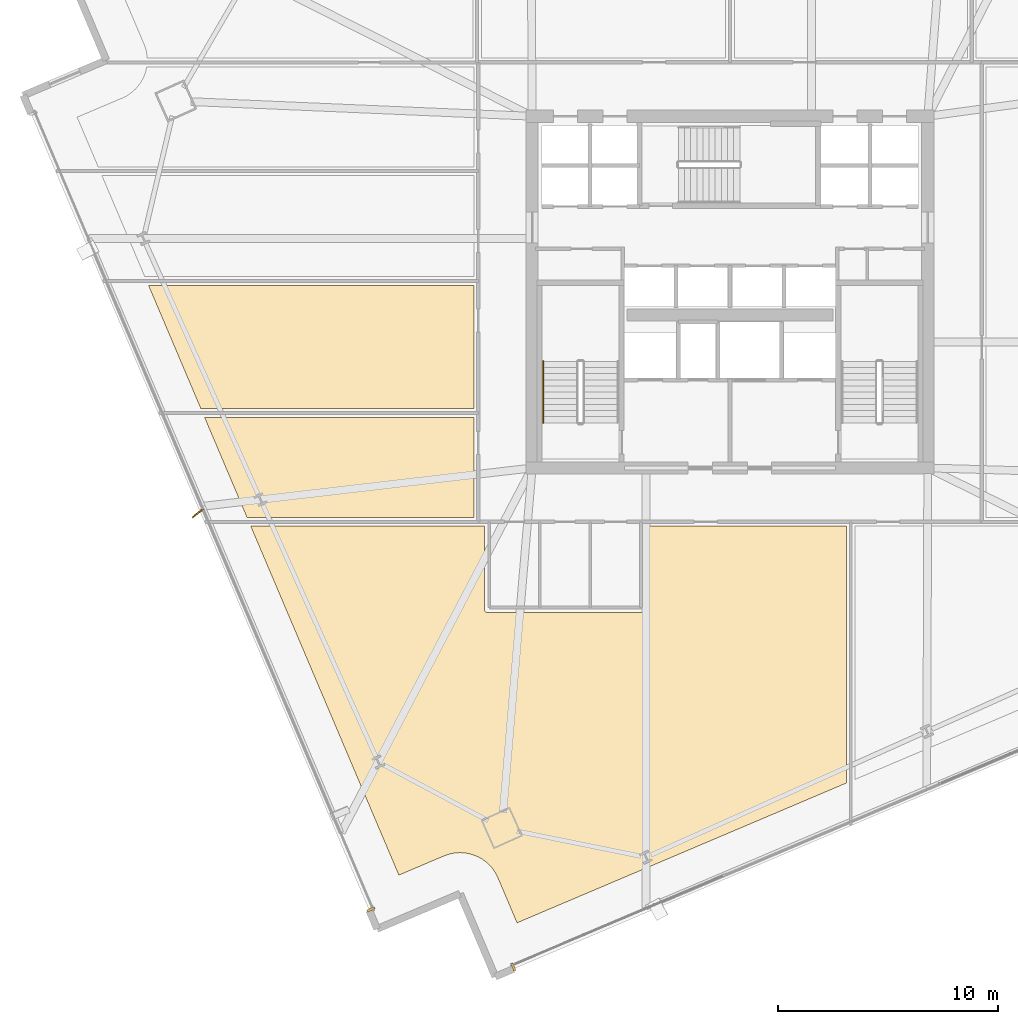
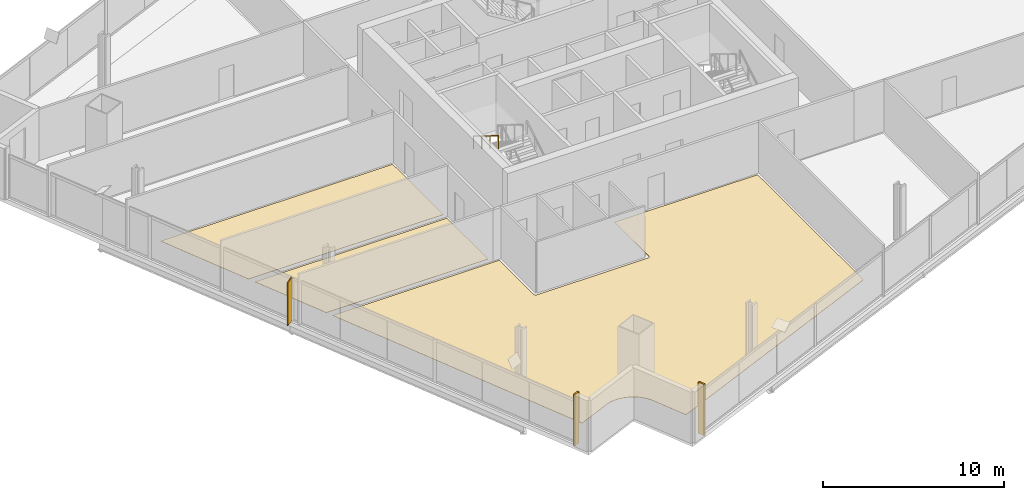
# One storey, part 30 of 34: 5 coverings, 1 railing, 1 shading device.
"""IFC4 building model written with IfcOpenShell, lengths in metres."""

from ifc_helpers import new_model, si_unit, direction, frame, origin, origin_2d, place, context, subcontext, project, spatial, polyline, rectangle, outline, extrude, source, transform, mapped, material, layer, layer_set, type_object, element, save


model = new_model("IFC4")

# Units and contexts
model_context = context("Model", 3, precision=1e-05, world=origin(), true_north=direction((0.0, 1.0)))
body_context = subcontext(model_context, "Body", "Model", "MODEL_VIEW")
ifc_project = project(units=[si_unit("LENGTHUNIT", "METRE"), si_unit("AREAUNIT", "SQUARE_METRE"), si_unit("VOLUMEUNIT", "CUBIC_METRE"), si_unit("PLANEANGLEUNIT", "RADIAN"), si_unit("MASSUNIT", "GRAM", prefix="KILO")], contexts=[model_context])

# Site, building, storey
site_placement = place(None, origin())
site = spatial("IfcSite", under=ifc_project, at=site_placement, CompositionType="ELEMENT")
building_placement = place(site_placement, origin())
building = spatial("IfcBuilding", under=site, at=building_placement, Name="Haldenkirk Collegiate Tower", CompositionType="ELEMENT")
storey_placement = place(building_placement, frame((0.0, 0.0, 105.449951171875)))
storey = spatial("IfcBuildingStorey", under=building, at=storey_placement, Name="L25", CompositionType="ELEMENT", Elevation=105.449951171875)

# Coverings
ifc_material_1 = material(Name="Polished collegiate terrazzo", Category="concrete")
ifc_layer_1 = layer(ifc_material_1, 0.02490234375)
ifc_layer_set_1 = layer_set([ifc_layer_1], Name="Polished collegiate terrazzo")
covering_type_1 = type_object("IfcCoveringType", Name="COV-FLOOR-TERRAZZO", PredefinedType="FLOORING", material=ifc_layer_set_1)
covering_1_placement = place(storey_placement, origin())
element("IfcCovering", 1, at=covering_1_placement, inside=storey, type_object=covering_type_1, Name="L25 academic room finish 08", PredefinedType="FLOORING", context=body_context, shape_type="SweptSolid", body=[
    extrude(outline(polyline([(12.096923828125, 20.300048828125), (24.35009765625, 20.300048828125), (24.35009765625, 15.75), (14.0283203125, 15.75), (12.096923828125, 20.300048828125)])), origin(), (0.0, 0.0, 1.0), 0.025146484375),
])
ifc_material_2 = material(Name="Engineered collegiate oak acoustic flooring", Category="wood")
ifc_layer_2 = layer(ifc_material_2, 0.02197265625)
ifc_layer_set_2 = layer_set([ifc_layer_2], Name="Engineered collegiate oak acoustic flooring")
covering_type_2 = type_object("IfcCoveringType", Name="COV-FLOOR-TIMBER", PredefinedType="FLOORING", material=ifc_layer_set_2)
covering_2_placement = place(storey_placement, origin())
element("IfcCovering", 2, at=covering_2_placement, inside=storey, type_object=covering_type_2, Name="L25 academic room finish 01", PredefinedType="FLOORING", context=body_context, shape_type="SweptSolid", body=[
    extrude(outline(polyline([(25.03466796875, -0.044921875), (25.026123046875, -0.03662109375), (24.89794921875, 0.07763671875), (24.888916015625, 0.0849609375), (24.75, 0.18603515625), (24.739990234375, 0.192626953125), (24.592041015625, 0.279541015625), (24.58154296875, 0.284912109375), (24.42578125, 0.357177734375), (24.414794921875, 0.361572265625), (24.252685546875, 0.41796875), (24.241455078125, 0.42138671875), (24.074462890625, 0.461669921875), (24.062744140625, 0.4638671875), (23.892578125, 0.487548828125), (23.880859375, 0.488525390625), (23.709228515625, 0.495361328125), (23.697509765625, 0.495361328125), (23.526123046875, 0.4853515625), (23.514404296875, 0.484130859375), (23.3447265625, 0.45751953125), (23.333251953125, 0.455078125), (23.1669921875, 0.411865234375), (23.15576171875, 0.408203125), (22.99462890625, 0.34912109375), (22.989013671875, 0.346923828125), (20.936279296875, -0.5244140625), (14.197998046875, 15.35009765625), (24.830078125, 15.35009765625), (24.830078125, 11.550048828125), (24.83056640625, 11.5380859375), (24.832275390625, 11.526611328125), (24.835205078125, 11.51513671875), (24.839111328125, 11.504150390625), (24.84423828125, 11.493408203125), (24.85009765625, 11.4833984375), (24.857177734375, 11.473876953125), (24.864990234375, 11.465087890625), (24.873779296875, 11.457275390625), (24.88330078125, 11.4501953125), (24.893310546875, 11.444091796875), (24.904052734375, 11.439208984375), (24.915283203125, 11.435302734375), (24.926513671875, 11.432373046875), (24.938232421875, 11.4306640625), (24.949951171875, 11.429931640625), (32.050048828125, 11.429931640625), (32.061767578125, 11.4306640625), (32.073486328125, 11.432373046875), (32.084716796875, 11.435302734375), (32.095947265625, 11.439208984375), (32.106689453125, 11.444091796875), (32.11669921875, 11.4501953125), (32.126220703125, 11.457275390625), (32.135009765625, 11.465087890625), (32.142822265625, 11.473876953125), (32.14990234375, 11.4833984375), (32.15576171875, 11.493408203125), (32.160888671875, 11.504150390625), (32.164794921875, 11.51513671875), (32.167724609375, 11.526611328125), (32.16943359375, 11.5380859375), (32.169921875, 11.550048828125), (32.169921875, 15.35009765625), (41.300048828125, 15.35009765625), (41.300048828125, 3.665283203125), (26.3125, -2.696533203125), (25.441162109375, -0.643798828125), (25.438720703125, -0.63818359375), (25.364013671875, -0.483642578125), (25.3583984375, -0.473388671875), (25.268798828125, -0.326904296875), (25.261962890625, -0.317138671875), (25.158447265625, -0.18017578125), (25.15087890625, -0.171142578125), (25.03466796875, -0.044921875)])), origin(), (0.0, 0.0, 1.0), 0.02197265625),
])
covering_3_placement = place(storey_placement, origin())
element("IfcCovering", 3, at=covering_3_placement, inside=storey, type_object=covering_type_2, Name="L25 academic room finish 09", PredefinedType="FLOORING", context=body_context, shape_type="SweptSolid", body=[
    extrude(outline(polyline([(9.550048828125, 26.300048828125), (24.35009765625, 26.300048828125), (24.35009765625, 20.699951171875), (11.927001953125, 20.699951171875), (9.550048828125, 26.300048828125)])), origin(), (0.0, 0.0, 1.0), 0.02197265625),
])

# Railing
ifc_material_3 = material(Name="Painted architectural tubular steel", Category="steel")
railing_type = type_object("IfcRailingType", Name="RLG-STAIR-HANDRAIL-900", PredefinedType="HANDRAIL", material=ifc_material_3)
railing_placement = place(storey_placement, frame((27.5, 22.85009765625, 2.04541015625)))
element("IfcRailing", 4, at=railing_placement, inside=storey, type_object=railing_type, Name="L25 ST-1 stair handrail 2", PredefinedType="HANDRAIL", context=body_context, shape_type="SweptSolid", body=[
    extrude(rectangle(XDim=0.048095703125, YDim=0.048095703125, at=origin_2d()), frame((0.0, 0.0, 0.8759765625), z_axis=(0.0, -0.854169791009, 0.51999420009), x_axis=(1.0, 0.0, 0.0)), (0.0, 0.0, 1.0), 3.278076171875),
    extrude(rectangle(XDim=0.0419921875, YDim=0.0419921875, at=origin_2d()), origin(), (0.0, 0.0, 1.0), 0.851806640625),
    extrude(rectangle(XDim=0.0419921875, YDim=0.0419921875, at=origin_2d()), frame((0.0, -0.933349609375, 0.568115234375)), (0.0, 0.0, 1.0), 0.851806640625),
    extrude(rectangle(XDim=0.0419921875, YDim=0.0419921875, at=origin_2d()), frame((0.0, -1.86669921875, 1.136474609375)), (0.0, 0.0, 1.0), 0.851806640625),
    extrude(rectangle(XDim=0.0419921875, YDim=0.0419921875, at=origin_2d()), frame((0.0, -2.800048828125, 1.70458984375)), (0.0, 0.0, 1.0), 0.851806640625),
])

# Coverings
ifc_material_4 = material(Name="Anodised architectural bronze aluminium", Category="aluminium")
ifc_layer_3 = layer(ifc_material_4, 0.06005859375)
ifc_layer_set_3 = layer_set([ifc_layer_3], Name="Anodised architectural bronze aluminium")
covering_type_3 = type_object("IfcCoveringType", Name="COV-CLAD-BRONZE-60", PredefinedType="CLADDING", material=ifc_layer_set_3)
shared_shape_1 = source(origin(), body_context, "Body", "SweptSolid", [
    extrude(rectangle(XDim=0.10009765625, YDim=0.3798828125, at=origin_2d()), origin(), (0.0, 0.0, 1.0), 3.449951171875),
])
for number, where, z_axis, x_axis, name in (
    (5, (26.142578125, -4.7021484375, 0.0), (0.0, 0.0, 1.0), (-0.920504853452, -0.390731128489, 0.0), "L25 recessed curtain-wall bronze jamb closure SJR"),
    (6, (19.6650390625, -2.085205078125, 0.0), (0.0, 0.0, 1.0), (-0.390731128489, 0.920504853452, 0.0), "L25 recessed curtain-wall bronze jamb closure WJL"),
):
    element("IfcCovering", number, at=place(storey_placement, frame(where, z_axis=z_axis, x_axis=x_axis)), inside=storey, type_object=covering_type_3, Name=name, PredefinedType="CLADDING", context=body_context, shape_type="MappedRepresentation", body=[
        mapped(shared_shape_1, transform((0.0, 0.0, 0.0), x_axis=(1.0, 0.0, 0.0), y_axis=(0.0, 1.0, 0.0), z_axis=(0.0, 0.0, 1.0), scale=1.0)),
    ])

# Shading device
ifc_layer_4 = layer(ifc_material_4, 0.06494140625)
ifc_layer_set_4 = layer_set([ifc_layer_4], Name="Anodised architectural bronze aluminium")
shading_device_type = type_object("IfcShadingDeviceType", Name="SHD-FIN-BRONZE-620", PredefinedType="USERDEFINED", material=ifc_layer_set_4)
shared_shape_2 = source(origin(), body_context, "Body", "SweptSolid", [
    extrude(rectangle(XDim=0.6201171875, YDim=0.06494140625, at=origin_2d()), origin(), (0.0, 0.0, 1.0), 2.90087890625),
])
shading_device_placement = place(storey_placement, frame((11.790771484375, 15.94091796875, 0.0), z_axis=(0.0, 0.0, 1.0), x_axis=(-0.777145961457, -0.62932039105, 0.0)))
element("IfcShadingDevice", 7, at=shading_device_placement, inside=storey, type_object=shading_device_type, Name="L25 folded bronze solar fin 1", ObjectType="FIN", PredefinedType="USERDEFINED", context=body_context, shape_type="MappedRepresentation", body=[
    mapped(shared_shape_2, transform((0.0, 0.0, 0.0), x_axis=(1.0, 0.0, 0.0), y_axis=(0.0, 1.0, 0.0), z_axis=(0.0, 0.0, 1.0), scale=1.0)),
])

save(model, "model.ifc")
